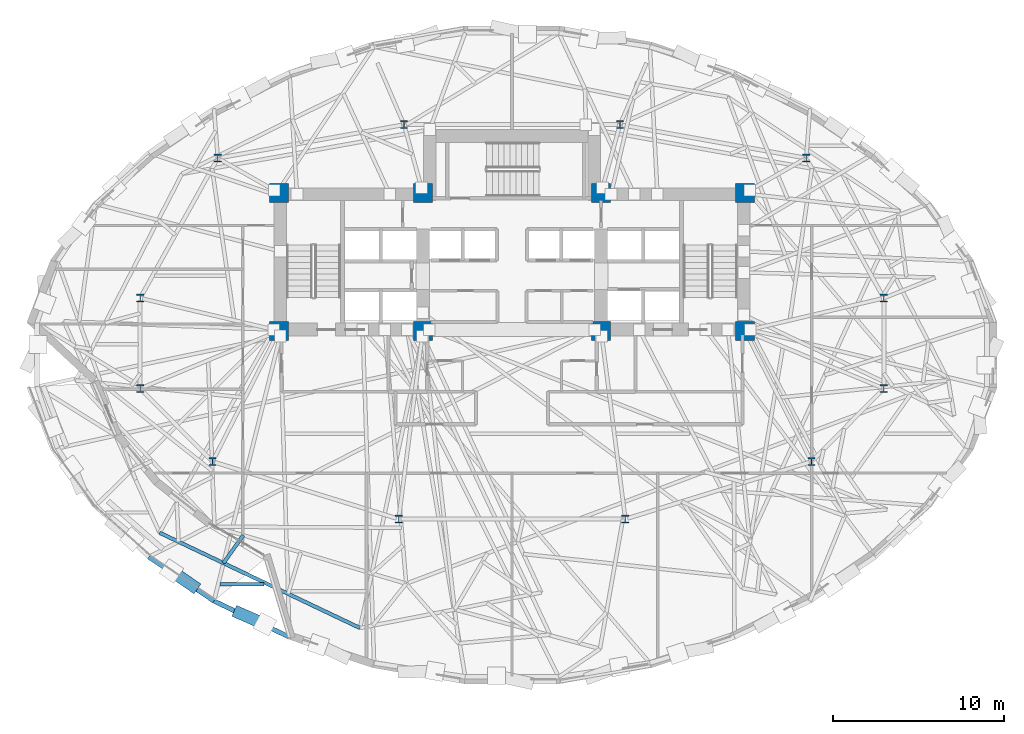
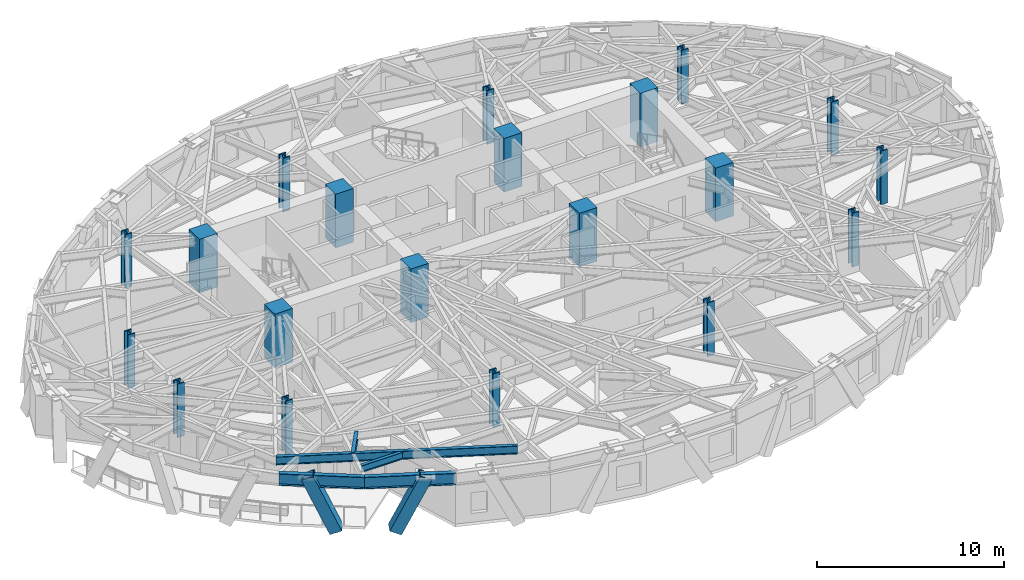
# One storey, part 1 of 17: 20 columns, 5 beams, 2 members.
"""IFC4 building model written with IfcOpenShell, lengths in metres."""

from ifc_helpers import new_model, si_unit, direction, frame, origin, origin_2d, place, context, subcontext, project, spatial, rectangle, hollow_rectangle, i_section, extrude, material, material_profile, profile_set, type_object, element, save


model = new_model("IFC4")

# Units and contexts
model_context = context("Model", 3, precision=1e-05, world=origin(), true_north=direction((0.0, 1.0)))
body_context = subcontext(model_context, "Body", "Model", "MODEL_VIEW")
ifc_project = project(units=[si_unit("LENGTHUNIT", "METRE"), si_unit("AREAUNIT", "SQUARE_METRE"), si_unit("VOLUMEUNIT", "CUBIC_METRE"), si_unit("PLANEANGLEUNIT", "RADIAN"), si_unit("MASSUNIT", "GRAM", prefix="KILO")], contexts=[model_context])

# Site, building, storey
site_placement = place(None, origin())
site = spatial("IfcSite", under=ifc_project, at=site_placement, CompositionType="ELEMENT")
building_placement = place(site_placement, origin())
building = spatial("IfcBuilding", under=site, at=building_placement, Name="Keldmark Tower", CompositionType="ELEMENT")
storey_placement = place(building_placement, frame((0.0, 0.0, 96.60009765625)))
storey = spatial("IfcBuildingStorey", under=building, at=storey_placement, Name="L25", CompositionType="ELEMENT", Elevation=96.60009765625)

# Columns
ifc_material_1 = material(Name="Concrete C70/85", Category="concrete")
ifc_material_profile_1 = material_profile(ifc_material_1, rectangle(XDim=1.10009765625, YDim=1.10009765625, at=origin_2d()), Name="RC1100X1100")
ifc_profile_set_1 = profile_set([ifc_material_profile_1], Name="Concrete C70/85")
column_type_1 = type_object("IfcColumnType", Name="Core Boundary Column RC1100", PredefinedType="COLUMN", material=ifc_profile_set_1)
for number, where, z_axis, x_axis, name in (
    (1, (-13.60009765625, 1.39990234375, 0.0), (0.0, 0.0, 1.0), (1.0, 0.0, 0.0), "L25 Core Boundary Column CC-W1"),
    (2, (-13.60009765625, 9.449951171875, 0.0), (0.0, 0.0, 1.0), (1.0, 0.0, 0.0), "L25 Core Boundary Column CC-W2"),
    (3, (-5.199951171875, 1.39990234375, 0.0), (0.0, 0.0, 1.0), (1.0, 0.0, 0.0), "L25 Core Boundary Column CC-W3"),
    (4, (-5.199951171875, 9.449951171875, 0.0), (0.0, 0.0, 1.0), (1.0, 0.0, 0.0), "L25 Core Boundary Column CC-W4"),
    (5, (5.199951171875, 1.39990234375, 0.0), (0.0, 0.0, 1.0), (1.0, 0.0, 0.0), "L25 Core Boundary Column CC-E1"),
    (6, (5.199951171875, 9.449951171875, 0.0), (0.0, 0.0, 1.0), (1.0, 0.0, 0.0), "L25 Core Boundary Column CC-E2"),
    (7, (13.60009765625, 1.39990234375, 0.0), (0.0, 0.0, 1.0), (1.0, 0.0, 0.0), "L25 Core Boundary Column CC-E3"),
    (8, (13.60009765625, 9.449951171875, 0.0), (0.0, 0.0, 1.0), (1.0, 0.0, 0.0), "L25 Core Boundary Column CC-E4"),
):
    element("IfcColumn", number, at=place(storey_placement, frame(where, z_axis=z_axis, x_axis=x_axis)), inside=storey, type_object=column_type_1, Name=name, PredefinedType="COLUMN", context=body_context, shape_type="SweptSolid", body=[
        extrude(rectangle(XDim=1.10009765625, YDim=1.10009765625, at=origin_2d()), origin(), (0.0, 0.0, 1.0), 3.5),
    ])
ifc_material_2 = material(Name="Steel ASTM A992 Grade 50", Category="steel")
ifc_material_profile_2 = material_profile(ifc_material_2, i_section(OverallWidth=0.424072265625, OverallDepth=0.47412109375, WebThickness=0.047607421875, FlangeThickness=0.0771484375, at=origin_2d()), Name="W14X426")
ifc_profile_set_2 = profile_set([ifc_material_profile_2], Name="Steel ASTM A992 Grade 50")
column_type_2 = type_object("IfcColumnType", Name="Tower Gravity Column W14X426", PredefinedType="COLUMN", material=ifc_profile_set_2)
for number, where, z_axis, x_axis, name in (
    (9, (21.697021484375, 3.309814453125, 0.0), (0.0, 0.0, 1.0), (1.0, 0.0, 0.0), "L25 Tower Gravity Column TC-E1"),
    (10, (17.1669921875, 11.478271484375, 0.0), (0.0, 0.0, 1.0), (1.0, 0.0, 0.0), "L25 Tower Gravity Column TC-E4"),
    (11, (6.298828125, 13.4326171875, 0.0), (0.0, 0.0, 1.0), (1.0, 0.0, 0.0), "L25 Tower Gravity Column TC-N2"),
    (12, (-6.298828125, 13.4326171875, 0.0), (0.0, 0.0, 1.0), (1.0, 0.0, 0.0), "L25 Tower Gravity Column TC-N1"),
    (13, (-17.1669921875, 11.478271484375, 0.0), (0.0, 0.0, 1.0), (1.0, 0.0, 0.0), "L25 Tower Gravity Column TC-W4"),
    (14, (-21.697021484375, 3.309814453125, 0.0), (0.0, 0.0, 1.0), (1.0, 0.0, 0.0), "L25 Tower Gravity Column TC-W1"),
    (15, (-21.697021484375, -1.9658203125, 0.0), (0.0, 0.0, 1.0), (1.0, 0.0, 0.0), "L25 Tower Gravity Column TC-W5"),
    (16, (-17.477294921875, -6.2294921875, 0.0), (0.0, 0.0, 1.0), (1.0, 0.0, 0.0), "L25 Tower Gravity Column TC-W2"),
    (17, (-6.61279296875, -9.579345703125, 0.0), (0.0, 0.0, 1.0), (1.0, 0.0, 0.0), "L25 Tower Gravity Column TC-W3"),
    (18, (6.61279296875, -9.579345703125, 0.0), (0.0, 0.0, 1.0), (1.0, 0.0, 0.0), "L25 Tower Gravity Column TC-E3"),
    (19, (17.477294921875, -6.2294921875, 0.0), (0.0, 0.0, 1.0), (1.0, 0.0, 0.0), "L25 Tower Gravity Column TC-E2"),
    (20, (21.697021484375, -1.9658203125, 0.0), (0.0, 0.0, 1.0), (1.0, 0.0, 0.0), "L25 Tower Gravity Column TC-E5"),
):
    element("IfcColumn", number, at=place(storey_placement, frame(where, z_axis=z_axis, x_axis=x_axis)), inside=storey, type_object=column_type_2, Name=name, PredefinedType="COLUMN", context=body_context, shape_type="SweptSolid", body=[
        extrude(i_section(OverallWidth=0.424072265625, OverallDepth=0.47412109375, WebThickness=0.047607421875, FlangeThickness=0.0771484375, at=origin_2d()), origin(), (0.0, 0.0, 1.0), 3.5),
    ])

# Beam
ifc_material_3 = material(Name="Steel ASTM A992 Grade 50", Category="steel")
ifc_material_profile_3 = material_profile(ifc_material_3, i_section(OverallWidth=0.19091796875, OverallDepth=0.45703125, WebThickness=0.009033203125, FlangeThickness=0.014404296875, at=origin_2d()), Name="W18X50")
ifc_profile_set_3 = profile_set([ifc_material_profile_3], Name="Steel ASTM A992 Grade 50")
beam_type_1 = type_object("IfcBeamType", Name="Composite Floor Joist W18X50", PredefinedType="JOIST", material=ifc_profile_set_3)
beam_1_placement = place(storey_placement, frame((-17.044677734375, -13.3798828125, 3.081298828125), z_axis=(1.0, 0.0, 0.0), x_axis=(0.0, 1.0, 0.0)))
element("IfcBeam", 21, at=beam_1_placement, inside=storey, type_object=beam_type_1, Name="L25 Composite Floor Joist J01", PredefinedType="JOIST", context=body_context, shape_type="SweptSolid", body=[
    extrude(i_section(OverallWidth=0.19091796875, OverallDepth=0.45703125, WebThickness=0.009033203125, FlangeThickness=0.014404296875, at=origin_2d()), origin(), (0.0, 0.0, 1.0), 2.5625),
])

# Members
ifc_material_4 = material(Name="Steel ASTM A572 Grade 50", Category="steel")
ifc_material_profile_4 = material_profile(ifc_material_4, hollow_rectangle(XDim=0.699951171875, YDim=0.699951171875, WallThickness=0.054931640625, at=origin_2d()), Name="BOX700X700X55")
ifc_profile_set_4 = profile_set([ifc_material_profile_4], Name="Steel ASTM A572 Grade 50")
member_type = type_object("IfcMemberType", Name="Diagrid Zone 1 Brace BOX700X700X55", PredefinedType="BRACE", material=ifc_profile_set_4)
member_1_placement = place(storey_placement, frame((-18.62060546875, -13.474609375, -0.27001953125), z_axis=(-0.332183954301, 0.228945442556, 0.915006997152), x_axis=(-0.567486106701, -0.823382972074, 0.0)))
element("IfcMember", 22, at=member_1_placement, inside=storey, type_object=member_type, Name="L25 Perimeter Diagrid Brace 10B", PredefinedType="BRACE", context=body_context, shape_type="SweptSolid", body=[
    extrude(hollow_rectangle(XDim=0.699951171875, YDim=0.699951171875, WallThickness=0.054931640625, at=origin_2d()), origin(), (0.0, 0.0, 1.0), 3.78125),
])
member_2_placement = place(storey_placement, frame((-15.92041015625, -15.0625, -0.27001953125), z_axis=(0.39302743176, -0.171782181089, 0.90333843057), x_axis=(0.400491389446, 0.916300522198, 0.0)))
element("IfcMember", 23, at=member_2_placement, inside=storey, type_object=member_type, Name="L25 Perimeter Diagrid Brace 11A", PredefinedType="BRACE", context=body_context, shape_type="SweptSolid", body=[
    extrude(hollow_rectangle(XDim=0.699951171875, YDim=0.699951171875, WallThickness=0.054931640625, at=origin_2d()), origin(), (0.0, 0.0, 1.0), 3.830078125),
])

# Beams
ifc_material_5 = material(Name="Steel ASTM A992 Grade 50", Category="steel")
ifc_material_profile_5 = material_profile(ifc_material_5, i_section(OverallWidth=0.2099609375, OverallDepth=0.537109375, WebThickness=0.010986328125, FlangeThickness=0.017333984375, at=origin_2d()), Name="W21X68")
ifc_profile_set_5 = profile_set([ifc_material_profile_5], Name="Steel ASTM A992 Grade 50")
beam_type_2 = type_object("IfcBeamType", Name="Radial Tie Girder W21X68", PredefinedType="BEAM", material=ifc_profile_set_5)
beam_2_placement = place(storey_placement, frame((-20.5634765625, -10.37890625, 3.04150390625), z_axis=(0.903101524263, -0.429427103097, 0.0), x_axis=(0.429427103097, 0.903101524263, 0.0)))
element("IfcBeam", 24, at=beam_2_placement, inside=storey, type_object=beam_type_2, Name="L25 Perimeter Collector Ring Beam CRG2-M08", PredefinedType="BEAM", context=body_context, shape_type="SweptSolid", body=[
    extrude(i_section(OverallWidth=0.2099609375, OverallDepth=0.537109375, WebThickness=0.010986328125, FlangeThickness=0.017333984375, at=origin_2d()), origin(), (0.0, 0.0, 1.0), 12.949951171875),
])
beam_3_placement = place(storey_placement, frame((-15.682373046875, -10.52587890625, 3.04150390625), z_axis=(-0.579104315433, -0.815253452521, 0.0), x_axis=(0.815253452521, -0.579104315433, 0.0)))
element("IfcBeam", 25, at=beam_3_placement, inside=storey, type_object=beam_type_2, Name="L25 Framing Pin Header PH-029", PredefinedType="BEAM", context=body_context, shape_type="SweptSolid", body=[
    extrude(i_section(OverallWidth=0.2099609375, OverallDepth=0.537109375, WebThickness=0.010986328125, FlangeThickness=0.017333984375, at=origin_2d()), origin(), (0.0, 0.0, 1.0), 1.9931640625),
])
ifc_material_6 = material(Name="Steel ASTM A992 Grade 50", Category="steel")
ifc_material_profile_6 = material_profile(ifc_material_6, i_section(OverallWidth=0.26806640625, OverallDepth=0.77001953125, WebThickness=0.015625, FlangeThickness=0.025390625, at=origin_2d()), Name="W30X132")
ifc_profile_set_6 = profile_set([ifc_material_profile_6], Name="Steel ASTM A992 Grade 50")
beam_type_3 = type_object("IfcBeamType", Name="Spandrel Ring Beam W30X132", PredefinedType="SPANDREL", material=ifc_profile_set_6)
beam_4_placement = place(storey_placement, frame((-21.189697265625, -11.78857421875, 2.9248046875), z_axis=(0.827754551165, -0.56109036975, 0.0), x_axis=(0.56109036975, 0.827754551165, 0.0)))
element("IfcBeam", 26, at=beam_4_placement, inside=storey, type_object=beam_type_3, Name="L25 Perimeter Spandrel Ring Beam SRB-20", PredefinedType="SPANDREL", context=body_context, shape_type="SweptSolid", body=[
    extrude(i_section(OverallWidth=0.26806640625, OverallDepth=0.77001953125, WebThickness=0.015625, FlangeThickness=0.025390625, at=origin_2d()), origin(), (0.0, 0.0, 1.0), 4.590576171875),
])
beam_5_placement = place(storey_placement, frame((-17.389892578125, -14.3642578125, 2.9248046875), z_axis=(0.902372757907, -0.430956385018, 0.0), x_axis=(0.430956385018, 0.902372757907, 0.0)))
element("IfcBeam", 27, at=beam_5_placement, inside=storey, type_object=beam_type_3, Name="L25 Perimeter Spandrel Ring Beam SRB-21", PredefinedType="SPANDREL", context=body_context, shape_type="SweptSolid", body=[
    extrude(i_section(OverallWidth=0.26806640625, OverallDepth=0.77001953125, WebThickness=0.015625, FlangeThickness=0.025390625, at=origin_2d()), origin(), (0.0, 0.0, 1.0), 4.881591796875),
])

save(model, "model.ifc")
